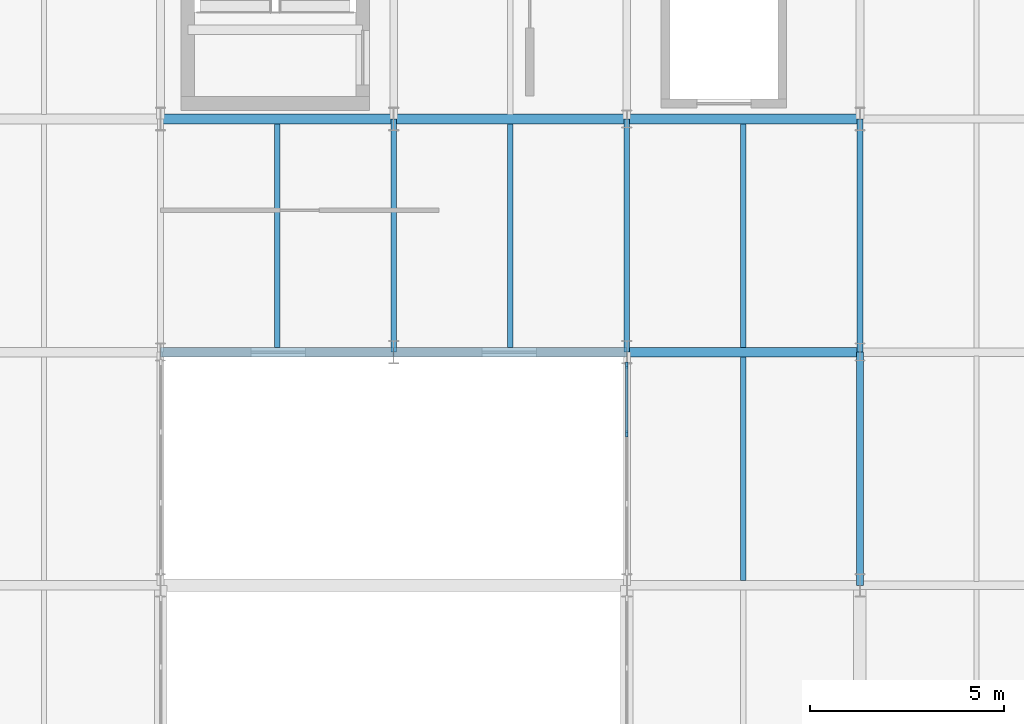
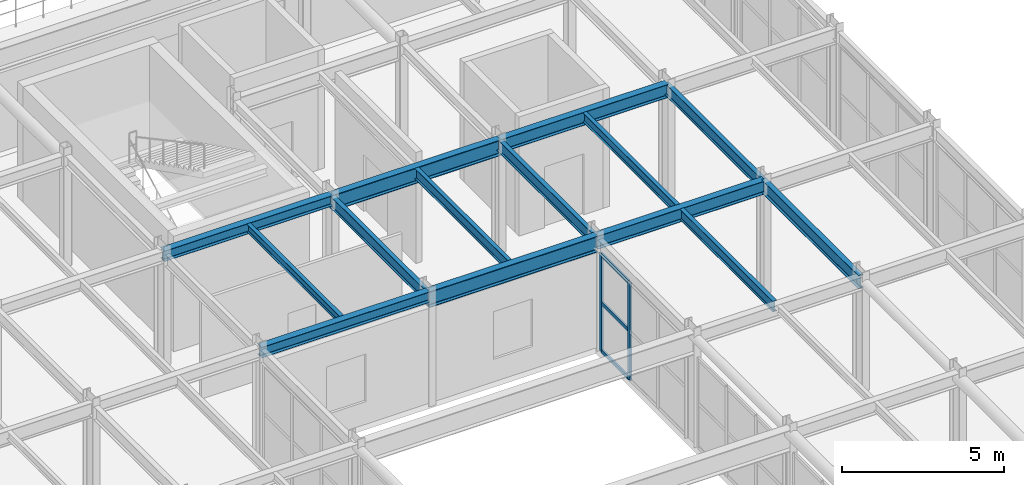
# One storey, part 31 of 96: 14 beams, 5 members, 1 element without a shape of its own.
"""IFC4 building model written with IfcOpenShell, lengths in metres."""

from ifc_helpers import new_model, si_unit, direction, frame, origin, origin_2d, place, context, subcontext, project, spatial, rectangle, i_section, extrude, material, material_profile, profile_set, type_object, element, aggregate, save


model = new_model("IFC4")

# Units and contexts
model_context = context("Model", 3, precision=1e-05, world=origin(), true_north=direction((0.0, 1.0)))
body_context = subcontext(model_context, "Body", "Model", "MODEL_VIEW")
ifc_project = project(units=[si_unit("LENGTHUNIT", "METRE"), si_unit("AREAUNIT", "SQUARE_METRE"), si_unit("VOLUMEUNIT", "CUBIC_METRE"), si_unit("PLANEANGLEUNIT", "RADIAN"), si_unit("MASSUNIT", "GRAM", prefix="KILO")], contexts=[model_context])

# Site, building, storey
site_placement = place(None, origin())
site = spatial("IfcSite", under=ifc_project, at=site_placement, CompositionType="ELEMENT")
building_placement = place(site_placement, origin())
building = spatial("IfcBuilding", under=site, at=building_placement, Name="Varnakota Square Police Headquarters", CompositionType="ELEMENT")
storey_placement = place(building_placement, frame((0.0, 0.0, 4.800048828125)))
storey = spatial("IfcBuildingStorey", under=building, at=storey_placement, Name="L01", CompositionType="ELEMENT", Elevation=4.800048828125)

# Beams
ifc_material_1 = material(Name="Steel IS 2062 Grade 350", Category="steel")
ifc_material_profile_1 = material_profile(ifc_material_1, i_section(OverallWidth=0.25, OverallDepth=0.39990234375, WebThickness=0.010498046875, FlangeThickness=0.0126953125, FilletRadius=0.013916015625, at=origin_2d()), Name="ISHB 400")
ifc_profile_set_1 = profile_set([ifc_material_profile_1], Name="Steel IS 2062 Grade 350")
beam_type_1 = type_object("IfcBeamType", Name="BM-ISHB400", PredefinedType="BEAM", material=ifc_profile_set_1)
for number, where, z_axis, x_axis, name in (
    (1, (18.0, 57.0, 4.0), (1.0, 0.0, 0.0), (0.0, 1.0, 0.0), "BMG-L01-1408"),
    (2, (18.0, 63.0, 4.0), (1.0, 0.0, 0.0), (0.0, 1.0, 0.0), "BMG-L01-1414"),
):
    element("IfcBeam", number, at=place(storey_placement, frame(where, z_axis=z_axis, x_axis=x_axis)), inside=storey, type_object=beam_type_1, Name=name, PredefinedType="BEAM", context=body_context, shape_type="SweptSolid", body=[
        extrude(i_section(OverallWidth=0.25, OverallDepth=0.39990234375, WebThickness=0.010498046875, FlangeThickness=0.0126953125, FilletRadius=0.013916015625, at=origin_2d()), origin(), (0.0, 0.0, 1.0), 6.0),
    ])
ifc_material_profile_2 = material_profile(ifc_material_1, i_section(OverallWidth=0.139892578125, OverallDepth=0.300048828125, WebThickness=0.0078125, FlangeThickness=0.01318359375, FilletRadius=0.013916015625, at=origin_2d()), Name="ISMB 300")
ifc_profile_set_2 = profile_set([ifc_material_profile_2], Name="Steel IS 2062 Grade 350")
beam_type_2 = type_object("IfcBeamType", Name="BM-ISMB300", PredefinedType="JOIST", material=ifc_profile_set_2)
beam_1_placement = place(storey_placement, frame((21.0, 57.123046875, 4.050048828125), z_axis=(0.0, 1.0, 0.0), x_axis=(-1.0, 0.0, 0.0)))
element("IfcBeam", 3, at=beam_1_placement, inside=storey, type_object=beam_type_2, Name="BMG-L01-1803", PredefinedType="JOIST", context=body_context, shape_type="SweptSolid", body=[
    extrude(i_section(OverallWidth=0.139892578125, OverallDepth=0.300048828125, WebThickness=0.0078125, FlangeThickness=0.01318359375, FilletRadius=0.013916015625, at=origin_2d()), origin(), (0.0, 0.0, 1.0), 5.75390625),
])
ifc_material_profile_3 = material_profile(ifc_material_1, i_section(OverallWidth=0.139892578125, OverallDepth=0.35009765625, WebThickness=0.008056640625, FlangeThickness=0.01416015625, FilletRadius=0.013916015625, at=origin_2d()), Name="ISMB 350")
ifc_profile_set_3 = profile_set([ifc_material_profile_3], Name="Steel IS 2062 Grade 350")
beam_type_3 = type_object("IfcBeamType", Name="BM-ISMB350", PredefinedType="JOIST", material=ifc_profile_set_3)
beam_2_placement = place(storey_placement, frame((33.0, 57.123046875, 4.02490234375), z_axis=(0.0, 1.0, 0.0), x_axis=(-1.0, 0.0, 0.0)))
element("IfcBeam", 4, at=beam_2_placement, inside=storey, type_object=beam_type_3, Name="BMG-L01-1821", PredefinedType="JOIST", context=body_context, shape_type="SweptSolid", body=[
    extrude(i_section(OverallWidth=0.139892578125, OverallDepth=0.35009765625, WebThickness=0.008056640625, FlangeThickness=0.01416015625, FilletRadius=0.013916015625, at=origin_2d()), origin(), (0.0, 0.0, 1.0), 5.75390625),
])
ifc_material_profile_4 = material_profile(ifc_material_1, i_section(OverallWidth=0.139892578125, OverallDepth=0.39990234375, WebThickness=0.0087890625, FlangeThickness=0.01611328125, FilletRadius=0.013916015625, at=origin_2d()), Name="ISMB 400")
ifc_profile_set_4 = profile_set([ifc_material_profile_4], Name="Steel IS 2062 Grade 350")
beam_type_4 = type_object("IfcBeamType", Name="BM-ISMB400", PredefinedType="JOIST", material=ifc_profile_set_4)
for number, where, z_axis, x_axis, name in (
    (5, (27.0, 57.123046875, 4.0), (0.0, 1.0, 0.0), (-1.0, 0.0, 0.0), "BMG-L01-1810"),
    (6, (33.0, 51.123046875, 4.0), (0.0, 1.0, 0.0), (-1.0, 0.0, 0.0), "BMG-L01-1820"),
):
    element("IfcBeam", number, at=place(storey_placement, frame(where, z_axis=z_axis, x_axis=x_axis)), inside=storey, type_object=beam_type_4, Name=name, PredefinedType="JOIST", context=body_context, shape_type="SweptSolid", body=[
        extrude(i_section(OverallWidth=0.139892578125, OverallDepth=0.39990234375, WebThickness=0.0087890625, FlangeThickness=0.01611328125, FilletRadius=0.013916015625, at=origin_2d()), origin(), (0.0, 0.0, 1.0), 5.75390625),
    ])
ifc_material_profile_5 = material_profile(ifc_material_1, i_section(OverallWidth=0.14990234375, OverallDepth=0.449951171875, WebThickness=0.009521484375, FlangeThickness=0.017333984375, FilletRadius=0.014892578125, at=origin_2d()), Name="ISMB 450")
ifc_profile_set_5 = profile_set([ifc_material_profile_5], Name="Steel IS 2062 Grade 350")
beam_type_5 = type_object("IfcBeamType", Name="BM-ISMB450", PredefinedType="BEAM", material=ifc_profile_set_5)
for number, where, z_axis, x_axis, name in (
    (7, (24.0, 57.0, 3.974853515625), (0.0, 1.0, 0.0), (-1.0, 0.0, 0.0), "BMG-L01-1585"),
    (8, (30.0, 57.0, 3.974853515625), (0.0, 1.0, 0.0), (-1.0, 0.0, 0.0), "BMG-L01-1596"),
    (9, (36.0, 57.0, 3.974853515625), (0.0, 1.0, 0.0), (-1.0, 0.0, 0.0), "BMG-L01-1610"),
):
    element("IfcBeam", number, at=place(storey_placement, frame(where, z_axis=z_axis, x_axis=x_axis)), inside=storey, type_object=beam_type_5, Name=name, PredefinedType="BEAM", context=body_context, shape_type="SweptSolid", body=[
        extrude(i_section(OverallWidth=0.14990234375, OverallDepth=0.449951171875, WebThickness=0.009521484375, FlangeThickness=0.017333984375, FilletRadius=0.014892578125, at=origin_2d()), origin(), (0.0, 0.0, 1.0), 6.0),
    ])
ifc_material_profile_6 = material_profile(ifc_material_1, i_section(OverallWidth=0.179931640625, OverallDepth=0.5, WebThickness=0.01025390625, FlangeThickness=0.01708984375, FilletRadius=0.01708984375, at=origin_2d()), Name="ISMB 500")
ifc_profile_set_6 = profile_set([ifc_material_profile_6], Name="Steel IS 2062 Grade 350")
beam_type_6 = type_object("IfcBeamType", Name="BM-ISMB500", PredefinedType="BEAM", material=ifc_profile_set_6)
beam_3_placement = place(storey_placement, frame((36.0, 51.0, 3.949951171875), z_axis=(0.0, 1.0, 0.0), x_axis=(-1.0, 0.0, 0.0)))
element("IfcBeam", 10, at=beam_3_placement, inside=storey, type_object=beam_type_6, Name="BMG-L01-1609", PredefinedType="BEAM", context=body_context, shape_type="SweptSolid", body=[
    extrude(i_section(OverallWidth=0.179931640625, OverallDepth=0.5, WebThickness=0.01025390625, FlangeThickness=0.01708984375, FilletRadius=0.01708984375, at=origin_2d()), origin(), (0.0, 0.0, 1.0), 6.0),
])
ifc_material_profile_7 = material_profile(ifc_material_1, i_section(OverallWidth=0.25, OverallDepth=0.5, WebThickness=0.010009765625, FlangeThickness=0.0146484375, FilletRadius=0.014892578125, at=origin_2d()), Name="ISWB 500")
ifc_profile_set_7 = profile_set([ifc_material_profile_7], Name="Steel IS 2062 Grade 350")
beam_type_7 = type_object("IfcBeamType", Name="BM-ISWB500", PredefinedType="BEAM", material=ifc_profile_set_7)
for number, where, z_axis, x_axis, name in (
    (11, (30.0, 57.0, 3.949951171875), (1.0, 0.0, 0.0), (0.0, 1.0, 0.0), "BMG-L01-1410"),
    (12, (30.0, 63.0, 3.949951171875), (1.0, 0.0, 0.0), (0.0, 1.0, 0.0), "BMG-L01-1416"),
):
    element("IfcBeam", number, at=place(storey_placement, frame(where, z_axis=z_axis, x_axis=x_axis)), inside=storey, type_object=beam_type_7, Name=name, PredefinedType="BEAM", context=body_context, shape_type="SweptSolid", body=[
        extrude(i_section(OverallWidth=0.25, OverallDepth=0.5, WebThickness=0.010009765625, FlangeThickness=0.0146484375, FilletRadius=0.014892578125, at=origin_2d()), origin(), (0.0, 0.0, 1.0), 6.0),
    ])
ifc_material_profile_8 = material_profile(ifc_material_1, i_section(OverallWidth=0.25, OverallDepth=0.60009765625, WebThickness=0.01171875, FlangeThickness=0.023681640625, FilletRadius=0.01708984375, at=origin_2d()), Name="ISWB 600")
ifc_profile_set_8 = profile_set([ifc_material_profile_8], Name="Steel IS 2062 Grade 350")
beam_type_8 = type_object("IfcBeamType", Name="BM-ISWB600", PredefinedType="BEAM", material=ifc_profile_set_8)
for number, where, z_axis, x_axis, name in (
    (13, (24.0, 57.0, 3.89990234375), (1.0, 0.0, 0.0), (0.0, 1.0, 0.0), "BMG-L01-1409"),
    (14, (24.0, 63.0, 3.89990234375), (1.0, 0.0, 0.0), (0.0, 1.0, 0.0), "BMG-L01-1415"),
):
    element("IfcBeam", number, at=place(storey_placement, frame(where, z_axis=z_axis, x_axis=x_axis)), inside=storey, type_object=beam_type_8, Name=name, PredefinedType="BEAM", context=body_context, shape_type="SweptSolid", body=[
        extrude(i_section(OverallWidth=0.25, OverallDepth=0.60009765625, WebThickness=0.01171875, FlangeThickness=0.023681640625, FilletRadius=0.01708984375, at=origin_2d()), origin(), (0.0, 0.0, 1.0), 6.0),
    ])

# Curtain wall, members
ifc_material_2 = material(Name="Anodised Aluminium Framing", Category="aluminium")
curtain_wall_type = type_object("IfcCurtainWallType", Name="CW-SYS-F", PredefinedType="NOTDEFINED", material=ifc_material_2)
curtain_wall_placement = place(storey_placement, origin())
curtain_wall = element("IfcCurtainWall", 15, at=curtain_wall_placement, inside=storey, type_object=curtain_wall_type, Name="Unitised curtain wall CWG-L01-153", PredefinedType="NOTDEFINED")
ifc_material_3 = material(Name="Anodised Aluminium 6063-T6", Category="aluminium")
ifc_material_profile_9 = material_profile(ifc_material_3, rectangle(XDim=0.06494140625, YDim=0.159912109375, at=origin_2d()), Name="ALU MULLION 65x160")
ifc_profile_set_9 = profile_set([ifc_material_profile_9], Name="Anodised Aluminium 6063-T6")
member_type_1 = type_object("IfcMemberType", Name="CWM-150", PredefinedType="MULLION", material=ifc_profile_set_9)
member_1_placement = place(storey_placement, frame((30.0, 54.8984375, 0.0), z_axis=(0.0, 0.0, 1.0), x_axis=(-1.0, 0.0, 0.0)))
member_1 = element("IfcMember", 16, at=member_1_placement, type_object=member_type_1, Name="CWG-L01-153 mullion 3", PredefinedType="MULLION", context=body_context, shape_type="SweptSolid", body=[
    extrude(rectangle(XDim=0.06494140625, YDim=0.159912109375, at=origin_2d()), origin(), (0.0, 0.0, 1.0), 3.68994140625),
])
member_2_placement = place(storey_placement, frame((30.0, 56.66259765625, 0.0), z_axis=(0.0, 0.0, 1.0), x_axis=(-1.0, 0.0, 0.0)))
member_2 = element("IfcMember", 17, at=member_2_placement, type_object=member_type_1, Name="CWG-L01-153 mullion 4", PredefinedType="MULLION", context=body_context, shape_type="SweptSolid", body=[
    extrude(rectangle(XDim=0.06494140625, YDim=0.159912109375, at=origin_2d()), origin(), (0.0, 0.0, 1.0), 3.68994140625),
])
ifc_material_profile_10 = material_profile(ifc_material_3, rectangle(XDim=0.06494140625, YDim=0.1298828125, at=origin_2d()), Name="ALU TRANSOM 65x130")
ifc_profile_set_10 = profile_set([ifc_material_profile_10], Name="Anodised Aluminium 6063-T6")
member_type_2 = type_object("IfcMemberType", Name="CWT-120", PredefinedType="USERDEFINED", material=ifc_profile_set_10)
member_3_placement = place(storey_placement, frame((30.0, 54.930908203125, 0.032470703125), z_axis=(0.0, 1.0, 0.0), x_axis=(-1.0, 0.0, 0.0)))
member_3 = element("IfcMember", 18, at=member_3_placement, type_object=member_type_2, Name="CWG-L01-153 transom 3.1", ObjectType="TRANSOM", PredefinedType="USERDEFINED", context=body_context, shape_type="SweptSolid", body=[
    extrude(rectangle(XDim=0.06494140625, YDim=0.1298828125, at=origin_2d()), origin(), (0.0, 0.0, 1.0), 1.698974609375),
])
member_4_placement = place(storey_placement, frame((30.0, 54.930908203125, 1.844970703125), z_axis=(0.0, 1.0, 0.0), x_axis=(-1.0, 0.0, 0.0)))
member_4 = element("IfcMember", 19, at=member_4_placement, type_object=member_type_2, Name="CWG-L01-153 transom 3.2", ObjectType="TRANSOM", PredefinedType="USERDEFINED", context=body_context, shape_type="SweptSolid", body=[
    extrude(rectangle(XDim=0.06494140625, YDim=0.1298828125, at=origin_2d()), origin(), (0.0, 0.0, 1.0), 1.698974609375),
])
member_5_placement = place(storey_placement, frame((30.0, 54.930908203125, 3.657470703125), z_axis=(0.0, 1.0, 0.0), x_axis=(-1.0, 0.0, 0.0)))
member_5 = element("IfcMember", 20, at=member_5_placement, type_object=member_type_2, Name="CWG-L01-153 transom 3.3", ObjectType="TRANSOM", PredefinedType="USERDEFINED", context=body_context, shape_type="SweptSolid", body=[
    extrude(rectangle(XDim=0.06494140625, YDim=0.1298828125, at=origin_2d()), origin(), (0.0, 0.0, 1.0), 1.698974609375),
])
aggregate(curtain_wall, [member_1, member_2, member_3, member_4, member_5])

save(model, "model.ifc")
